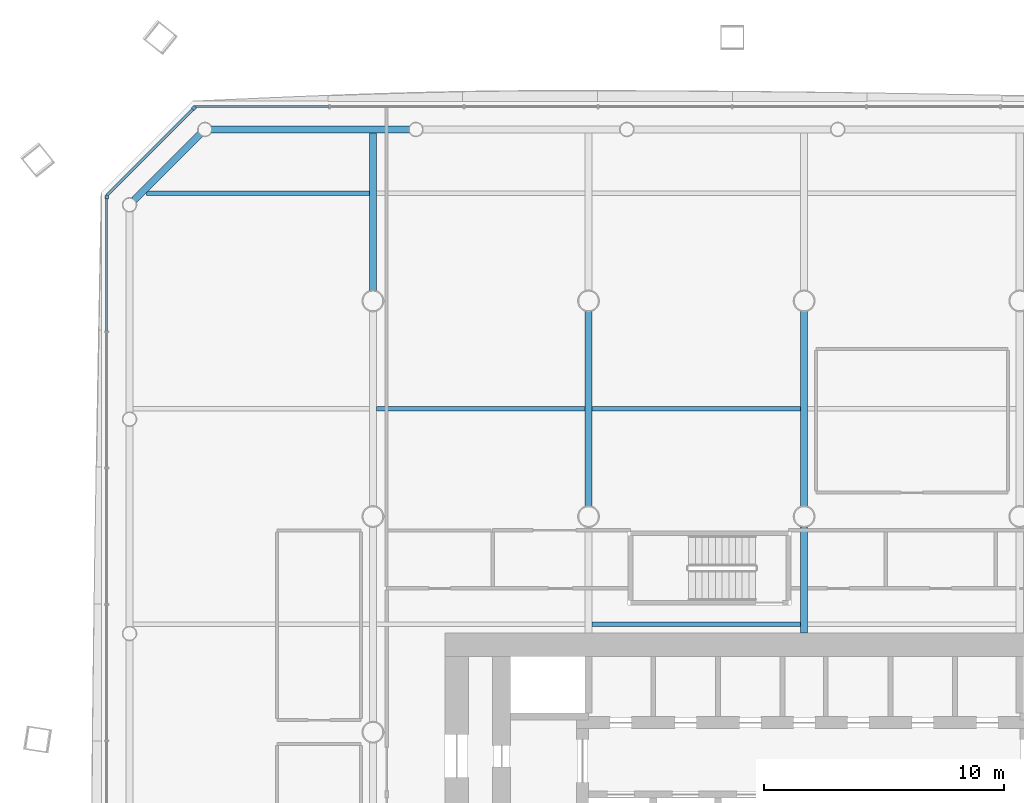
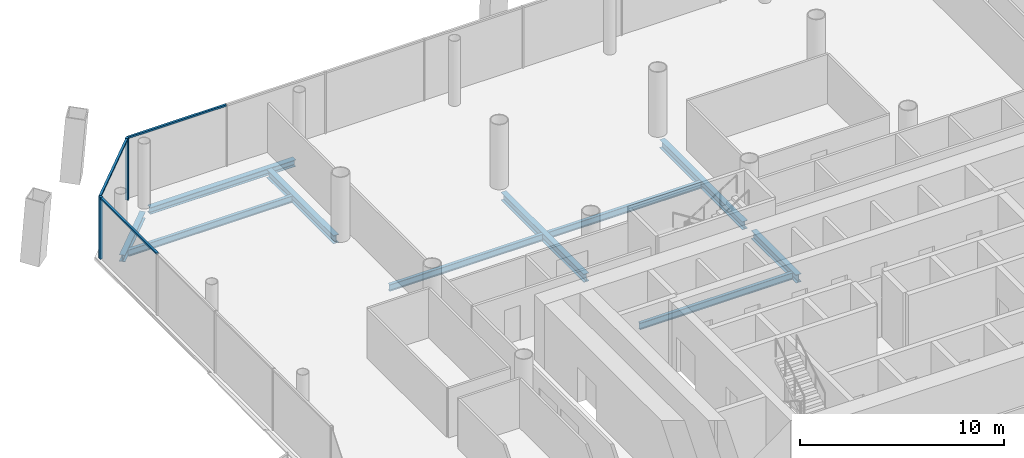
# One storey, part 8 of 20: 10 beams, 5 members, 3 elements without a shape of their own.
"""IFC4 building model written with IfcOpenShell, lengths in metres."""

from ifc_helpers import new_model, si_unit, direction, frame, origin, origin_2d, place, context, subcontext, project, spatial, rectangle, i_section, extrude, material, material_profile, profile_set, type_object, element, aggregate, save


model = new_model("IFC4")

# Units and contexts
model_context = context("Model", 3, precision=1e-05, world=origin(), true_north=direction((0.0, 1.0)))
body_context = subcontext(model_context, "Body", "Model", "MODEL_VIEW")
ifc_project = project(units=[si_unit("LENGTHUNIT", "METRE"), si_unit("AREAUNIT", "SQUARE_METRE"), si_unit("VOLUMEUNIT", "CUBIC_METRE"), si_unit("PLANEANGLEUNIT", "RADIAN"), si_unit("MASSUNIT", "GRAM", prefix="KILO")], contexts=[model_context])

# Site, building, storey
site_placement = place(None, origin())
site = spatial("IfcSite", under=ifc_project, at=site_placement, CompositionType="ELEMENT")
building_placement = place(site_placement, origin())
building = spatial("IfcBuilding", under=site, at=building_placement, Name="Tskaro Facet Tower", CompositionType="ELEMENT")
storey_placement = place(building_placement, frame((0.0, 0.0, 49.800048828125)))
storey = spatial("IfcBuildingStorey", under=building, at=storey_placement, Name="L11", CompositionType="ELEMENT", Elevation=49.800048828125)

# Curtain wall, member
ifc_material_1 = material(Name="Bronze anodised aluminium 6063-T6", Category="aluminium")
curtain_wall_type = type_object("IfcCurtainWallType", Name="Bronze office curtain wall (FW1)", PredefinedType="NOTDEFINED", material=ifc_material_1)
curtain_wall_1_placement = place(storey_placement, origin())
curtain_wall_1 = element("IfcCurtainWall", 1, at=curtain_wall_1_placement, inside=storey, type_object=curtain_wall_type, Name="FW1 north-west facet L11", PredefinedType="NOTDEFINED")
ifc_material_profile_1 = material_profile(ifc_material_1, rectangle(XDim=0.159912109375, YDim=0.159912109375, at=origin_2d()), Name="Corner post 160x160")
ifc_profile_set_1 = profile_set([ifc_material_profile_1], Name="Bronze anodised aluminium 6063-T6")
member_type_1 = type_object("IfcMemberType", Name="FW1 bronze corner post 160x160", PredefinedType="MULLION", material=ifc_profile_set_1)
member_1_placement = place(storey_placement, frame((-25.461669921875, 26.050537109375, 0.0), z_axis=(0.0, 0.0, 1.0), x_axis=(-0.707106781187, -0.707106781187, 0.0)))
member_1 = element("IfcMember", 2, at=member_1_placement, type_object=member_type_1, Name="FW1 north-west corner post", PredefinedType="MULLION", context=body_context, shape_type="SweptSolid", body=[
    extrude(rectangle(XDim=0.159912109375, YDim=0.159912109375, at=origin_2d()), origin(), (0.0, 0.0, 1.0), 3.699951171875),
])

curtain_wall_2_placement = place(storey_placement, origin())
curtain_wall_2 = element("IfcCurtainWall", 3, at=curtain_wall_2_placement, inside=storey, type_object=curtain_wall_type, Name="FW1 west facet L11", PredefinedType="NOTDEFINED")
member_2_placement = place(storey_placement, frame((-29.10693359375, 22.324951171875, 0.0), z_axis=(0.0, 0.0, 1.0), x_axis=(0.0, -1.0, 0.0)))
member_2 = element("IfcMember", 4, at=member_2_placement, type_object=member_type_1, Name="FW1 west corner post", PredefinedType="MULLION", context=body_context, shape_type="SweptSolid", body=[
    extrude(rectangle(XDim=0.159912109375, YDim=0.159912109375, at=origin_2d()), origin(), (0.0, 0.0, 1.0), 3.699951171875),
])

curtain_wall_3_placement = place(storey_placement, origin())
curtain_wall_3 = element("IfcCurtainWall", 5, at=curtain_wall_3_placement, inside=storey, type_object=curtain_wall_type, Name="FW1 north facet L11", PredefinedType="NOTDEFINED")
ifc_material_profile_2 = material_profile(ifc_material_1, rectangle(XDim=0.1201171875, YDim=0.10009765625, at=origin_2d()), Name="Transom 120x100")
ifc_profile_set_2 = profile_set([ifc_material_profile_2], Name="Bronze anodised aluminium 6063-T6")
member_type_2 = type_object("IfcMemberType", Name="FW1 bronze transom 120x100", PredefinedType="USERDEFINED", material=ifc_profile_set_2)
member_3_placement = place(storey_placement, frame((-19.833740234375, 26.10693359375, 3.64990234375), z_axis=(-1.0, 0.0, 0.0), x_axis=(0.0, -1.0, 0.0)))
member_3 = element("IfcMember", 6, at=member_3_placement, type_object=member_type_2, Name="FW1 north transom 8.1", ObjectType="TRANSOM", PredefinedType="USERDEFINED", context=body_context, shape_type="SweptSolid", body=[
    extrude(rectangle(XDim=0.1201171875, YDim=0.10009765625, at=origin_2d()), origin(), (0.0, 0.0, 1.0), 5.5712890625),
])
aggregate(curtain_wall_3, [member_3])

# Member
member_4_placement = place(storey_placement, frame((-25.51806640625, 25.993896484375, 3.64990234375), z_axis=(-0.707106781187, -0.707106781187, 0.0), x_axis=(0.707106781187, -0.707106781187, 0.0)))
member_4 = element("IfcMember", 7, at=member_4_placement, type_object=member_type_2, Name="FW1 north-west transom 1.1", ObjectType="TRANSOM", PredefinedType="USERDEFINED", context=body_context, shape_type="SweptSolid", body=[
    extrude(rectangle(XDim=0.1201171875, YDim=0.10009765625, at=origin_2d()), origin(), (0.0, 0.0, 1.0), 5.075439453125),
])

aggregate(curtain_wall_1, [member_1, member_4])

member_5_placement = place(storey_placement, frame((-29.10693359375, 22.2451171875, 3.64990234375), z_axis=(0.0, -1.0, 0.0), x_axis=(1.0, 0.0, 0.0)))
member_5 = element("IfcMember", 8, at=member_5_placement, type_object=member_type_2, Name="FW1 west transom 1.1", ObjectType="TRANSOM", PredefinedType="USERDEFINED", context=body_context, shape_type="SweptSolid", body=[
    extrude(rectangle(XDim=0.1201171875, YDim=0.10009765625, at=origin_2d()), origin(), (0.0, 0.0, 1.0), 5.5009765625),
])

aggregate(curtain_wall_2, [member_2, member_5])

# Beams
ifc_material_2 = material(Name="Steel S355J2", Category="steel")
ifc_material_profile_3 = material_profile(ifc_material_2, i_section(OverallWidth=0.300048828125, OverallDepth=0.39990234375, WebThickness=0.013427734375, FlangeThickness=0.02392578125, FilletRadius=0.027099609375, at=origin_2d()), Name="HE 400 B")
ifc_profile_set_3 = profile_set([ifc_material_profile_3], Name="Steel S355J2")
beam_type_1 = type_object("IfcBeamType", Name="HE 400 B ring beam", PredefinedType="BEAM", material=ifc_profile_set_3)
beam_1_placement = place(storey_placement, frame((-16.48193359375, 25.156982421875, -0.340087890625), z_axis=(-1.0, 0.0, 0.0), x_axis=(0.0, -1.0, 0.0)))
element("IfcBeam", 9, at=beam_1_placement, inside=storey, type_object=beam_type_1, Name="HE 400 B EB18-1", PredefinedType="BEAM", context=body_context, shape_type="SweptSolid", body=[
    extrude(i_section(OverallWidth=0.300048828125, OverallDepth=0.39990234375, WebThickness=0.013427734375, FlangeThickness=0.02392578125, FilletRadius=0.027099609375, at=origin_2d()), origin(), (0.0, 0.0, 1.0), 8.255126953125),
])
beam_2_placement = place(storey_placement, frame((-25.20654296875, 24.962646484375, -0.340087890625), z_axis=(-0.707106781187, -0.707106781187, 0.0), x_axis=(0.707106781187, -0.707106781187, 0.0)))
element("IfcBeam", 10, at=beam_2_placement, inside=storey, type_object=beam_type_1, Name="HE 400 B EB19-1", PredefinedType="BEAM", context=body_context, shape_type="SweptSolid", body=[
    extrude(i_section(OverallWidth=0.300048828125, OverallDepth=0.39990234375, WebThickness=0.013427734375, FlangeThickness=0.02392578125, FilletRadius=0.027099609375, at=origin_2d()), origin(), (0.0, 0.0, 1.0), 3.897705078125),
])
ifc_material_profile_4 = material_profile(ifc_material_2, i_section(OverallWidth=0.300048828125, OverallDepth=0.489990234375, WebThickness=0.011962890625, FlangeThickness=0.02294921875, FilletRadius=0.027099609375, at=origin_2d()), Name="HE 500 A")
ifc_profile_set_4 = profile_set([ifc_material_profile_4], Name="Steel S355J2")
beam_type_2 = type_object("IfcBeamType", Name="HE 500 A girder", PredefinedType="BEAM", material=ifc_profile_set_4)
beam_3_placement = place(storey_placement, frame((-18.0, 18.42724609375, -0.385009765625), z_axis=(0.0, 1.0, 0.0), x_axis=(-1.0, 0.0, 0.0)))
element("IfcBeam", 11, at=beam_3_placement, inside=storey, type_object=beam_type_2, Name="HE 500 A GB2-6-1", PredefinedType="BEAM", context=body_context, shape_type="SweptSolid", body=[
    extrude(i_section(OverallWidth=0.300048828125, OverallDepth=0.489990234375, WebThickness=0.011962890625, FlangeThickness=0.02294921875, FilletRadius=0.027099609375, at=origin_2d()), origin(), (0.0, 0.0, 1.0), 6.579833984375),
])
beam_4_placement = place(storey_placement, frame((-9.0, 9.42724609375, -0.385009765625), z_axis=(0.0, 1.0, 0.0), x_axis=(-1.0, 0.0, 0.0)))
element("IfcBeam", 12, at=beam_4_placement, inside=storey, type_object=beam_type_2, Name="HE 500 A GB3-4-1", PredefinedType="BEAM", context=body_context, shape_type="SweptSolid", body=[
    extrude(i_section(OverallWidth=0.300048828125, OverallDepth=0.489990234375, WebThickness=0.011962890625, FlangeThickness=0.02294921875, FilletRadius=0.027099609375, at=origin_2d()), origin(), (0.0, 0.0, 1.0), 8.1455078125),
])
beam_5_placement = place(storey_placement, frame((0.0, 4.14990234375, -0.385009765625), z_axis=(0.0, 1.0, 0.0), x_axis=(-1.0, 0.0, 0.0)))
element("IfcBeam", 13, at=beam_5_placement, inside=storey, type_object=beam_type_2, Name="HE 500 A GB4-3-1", PredefinedType="BEAM", context=body_context, shape_type="SweptSolid", body=[
    extrude(i_section(OverallWidth=0.300048828125, OverallDepth=0.489990234375, WebThickness=0.011962890625, FlangeThickness=0.02294921875, FilletRadius=0.027099609375, at=origin_2d()), origin(), (0.0, 0.0, 1.0), 4.4228515625),
])
beam_6_placement = place(storey_placement, frame((0.0, 9.42724609375, -0.385009765625), z_axis=(0.0, 1.0, 0.0), x_axis=(-1.0, 0.0, 0.0)))
element("IfcBeam", 14, at=beam_6_placement, inside=storey, type_object=beam_type_2, Name="HE 500 A GB4-4-1", PredefinedType="BEAM", context=body_context, shape_type="SweptSolid", body=[
    extrude(i_section(OverallWidth=0.300048828125, OverallDepth=0.489990234375, WebThickness=0.011962890625, FlangeThickness=0.02294921875, FilletRadius=0.027099609375, at=origin_2d()), origin(), (0.0, 0.0, 1.0), 8.1455078125),
])
ifc_material_profile_5 = material_profile(ifc_material_2, i_section(OverallWidth=0.179931640625, OverallDepth=0.39990234375, WebThickness=0.008544921875, FlangeThickness=0.013427734375, FilletRadius=0.02099609375, at=origin_2d()), Name="IPE 400")
ifc_profile_set_5 = profile_set([ifc_material_profile_5], Name="Steel S355J2")
beam_type_3 = type_object("IfcBeamType", Name="IPE 400 secondary beam", PredefinedType="BEAM", material=ifc_profile_set_5)
for number, where, z_axis, x_axis, name in (
    (15, (-8.85009765625, 4.5, -0.340087890625), (1.0, 0.0, 0.0), (0.0, 1.0, 0.0), "IPE 400 SB4a-3-1"),
    (16, (-17.85009765625, 13.5, -0.340087890625), (1.0, 0.0, 0.0), (0.0, 1.0, 0.0), "IPE 400 SB5a-2-1"),
    (17, (-8.85009765625, 13.5, -0.340087890625), (1.0, 0.0, 0.0), (0.0, 1.0, 0.0), "IPE 400 SB5a-3-1"),
):
    element("IfcBeam", number, at=place(storey_placement, frame(where, z_axis=z_axis, x_axis=x_axis)), inside=storey, type_object=beam_type_3, Name=name, PredefinedType="BEAM", context=body_context, shape_type="SweptSolid", body=[
        extrude(i_section(OverallWidth=0.179931640625, OverallDepth=0.39990234375, WebThickness=0.008544921875, FlangeThickness=0.013427734375, FilletRadius=0.02099609375, at=origin_2d()), origin(), (0.0, 0.0, 1.0), 8.7001953125),
    ])
beam_7_placement = place(storey_placement, frame((-27.45703125, 22.5, -0.340087890625), z_axis=(1.0, 0.0, 0.0), x_axis=(0.0, 1.0, 0.0)))
element("IfcBeam", 18, at=beam_7_placement, inside=storey, type_object=beam_type_3, Name="IPE 400 SB6a-1-1", PredefinedType="BEAM", context=body_context, shape_type="SweptSolid", body=[
    extrude(i_section(OverallWidth=0.179931640625, OverallDepth=0.39990234375, WebThickness=0.008544921875, FlangeThickness=0.013427734375, FilletRadius=0.02099609375, at=origin_2d()), origin(), (0.0, 0.0, 1.0), 9.30712890625),
])

save(model, "model.ifc")
